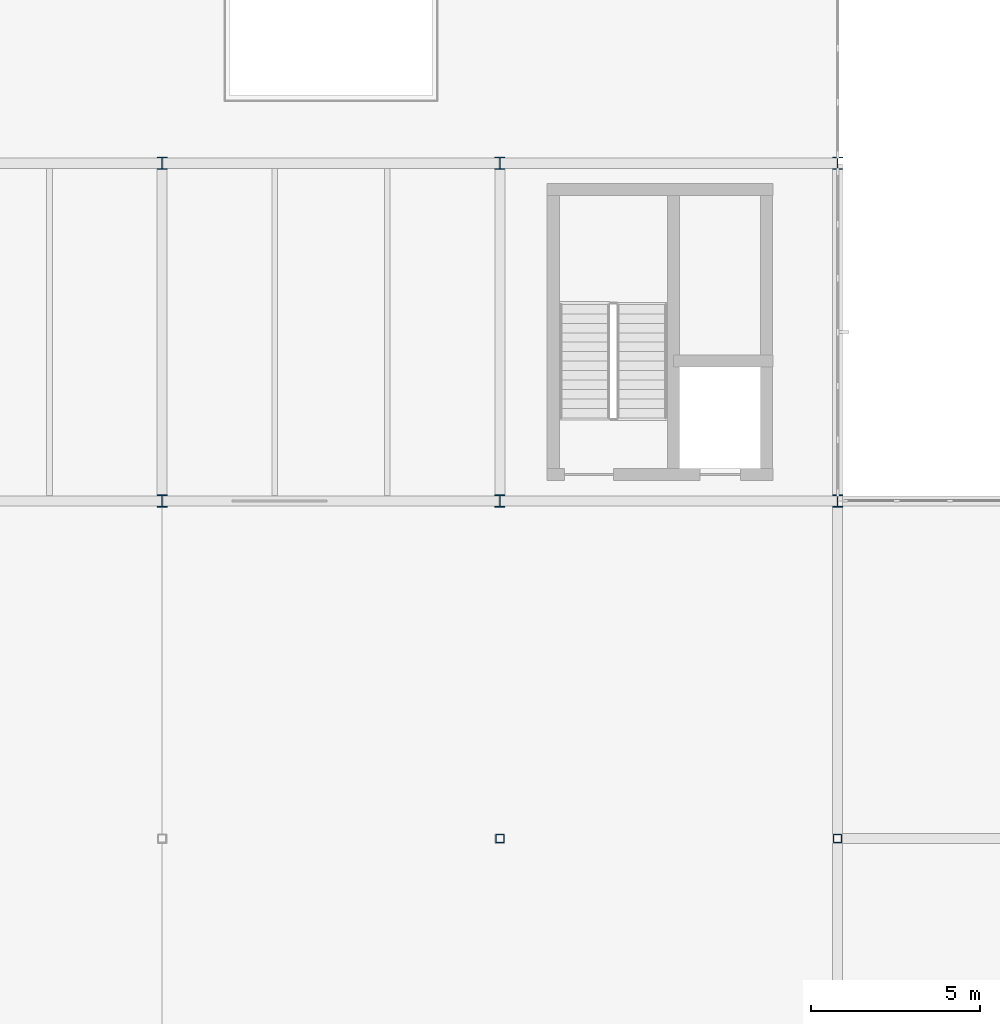
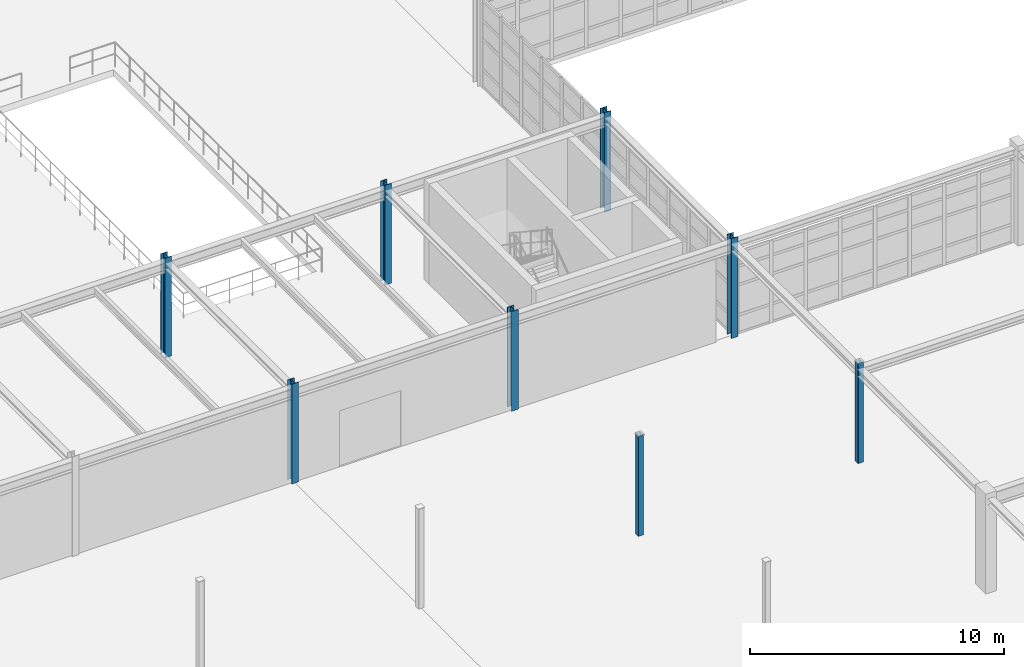
# One storey, part 10 of 139: 8 columns.
"""IFC4 building model written with IfcOpenShell, lengths in metres."""

from ifc_helpers import new_model, si_unit, direction, frame, origin, origin_2d, place, context, subcontext, project, spatial, hollow_rectangle, i_section, extrude, material, material_profile, profile_set, type_object, element, save


model = new_model("IFC4")

# Units and contexts
model_context = context("Model", 3, precision=1e-05, world=origin(), true_north=direction((0.0, 1.0)))
body_context = subcontext(model_context, "Body", "Model", "MODEL_VIEW")
ifc_project = project(units=[si_unit("LENGTHUNIT", "METRE"), si_unit("AREAUNIT", "SQUARE_METRE"), si_unit("VOLUMEUNIT", "CUBIC_METRE"), si_unit("PLANEANGLEUNIT", "RADIAN"), si_unit("MASSUNIT", "GRAM", prefix="KILO"), si_unit("THERMODYNAMICTEMPERATUREUNIT", "KELVIN"), si_unit("POWERUNIT", "WATT")], contexts=[model_context])

# Site, building, storey
site_placement = place(None, origin())
site = spatial("IfcSite", under=ifc_project, at=site_placement, CompositionType="ELEMENT")
building_placement = place(site_placement, origin())
building = spatial("IfcBuilding", under=site, at=building_placement, Name="Korenveer Ferry Terminal", CompositionType="ELEMENT")
storey_placement = place(building_placement, frame((0.0, 0.0, 5.39990234375)))
storey = spatial("IfcBuildingStorey", under=building, at=storey_placement, Name="L01", CompositionType="ELEMENT", Elevation=5.39990234375)

# Columns
ifc_material = material(Name="Steel S355", Category="steel")
ifc_material_profile_1 = material_profile(ifc_material, i_section(OverallWidth=0.300048828125, OverallDepth=0.360107421875, WebThickness=0.012451171875, FlangeThickness=0.0224609375, FilletRadius=0.027099609375, at=origin_2d()), Name="HEB 360")
ifc_profile_set_1 = profile_set([ifc_material_profile_1], Name="Steel S355")
column_type_1 = type_object("IfcColumnType", Name="STR-COL-HEB360", PredefinedType="COLUMN", material=ifc_profile_set_1)
for number, where, z_axis, x_axis, name in (
    (1, (103.0, 50.0, 0.0), (0.0, 0.0, 1.0), (1.0, 0.0, 0.0), "Column COL-L01-X103-Y50"),
    (2, (103.0, 60.0, 0.0), (0.0, 0.0, 1.0), (1.0, 0.0, 0.0), "Column COL-L01-X103-Y60"),
    (3, (113.0, 50.0, 0.0), (0.0, 0.0, 1.0), (1.0, 0.0, 0.0), "Column COL-L01-X113-Y50"),
    (4, (113.0, 60.0, 0.0), (0.0, 0.0, 1.0), (1.0, 0.0, 0.0), "Column COL-L01-X113-Y60"),
    (5, (123.0, 50.0, 0.0), (0.0, 0.0, 1.0), (1.0, 0.0, 0.0), "Column COL-L01-X123-Y50"),
    (6, (123.0, 60.0, 0.0), (0.0, 0.0, 1.0), (1.0, 0.0, 0.0), "Column COL-L01-X123-Y60"),
):
    element("IfcColumn", number, at=place(storey_placement, frame(where, z_axis=z_axis, x_axis=x_axis)), inside=storey, type_object=column_type_1, Name=name, PredefinedType="COLUMN", context=body_context, shape_type="SweptSolid", body=[
        extrude(i_section(OverallWidth=0.300048828125, OverallDepth=0.360107421875, WebThickness=0.012451171875, FlangeThickness=0.0224609375, FilletRadius=0.027099609375, at=origin_2d()), origin(), (0.0, 0.0, 1.0), 4.800048828125),
    ])
ifc_material_profile_2 = material_profile(ifc_material, hollow_rectangle(XDim=0.25, YDim=0.25, WallThickness=0.012451171875, InnerFilletRadius=0.012451171875, OuterFilletRadius=0.018798828125, at=origin_2d()), Name="SHS 250x250x12.5")
ifc_profile_set_2 = profile_set([ifc_material_profile_2], Name="Steel S355")
column_type_2 = type_object("IfcColumnType", Name="STR-COL-SHS250", PredefinedType="COLUMN", material=ifc_profile_set_2)
for number, where, z_axis, x_axis, name in (
    (7, (113.0, 40.0, 0.0), (0.0, 0.0, 1.0), (1.0, 0.0, 0.0), "Column COL-L01-X113-Y40"),
    (8, (123.0, 40.0, 0.0), (0.0, 0.0, 1.0), (1.0, 0.0, 0.0), "Column COL-L01-X123-Y40"),
):
    element("IfcColumn", number, at=place(storey_placement, frame(where, z_axis=z_axis, x_axis=x_axis)), inside=storey, type_object=column_type_2, Name=name, PredefinedType="COLUMN", context=body_context, shape_type="SweptSolid", body=[
        extrude(hollow_rectangle(XDim=0.25, YDim=0.25, WallThickness=0.012451171875, InnerFilletRadius=0.012451171875, OuterFilletRadius=0.018798828125, at=origin_2d()), origin(), (0.0, 0.0, 1.0), 4.800048828125),
    ])

save(model, "model.ifc")
